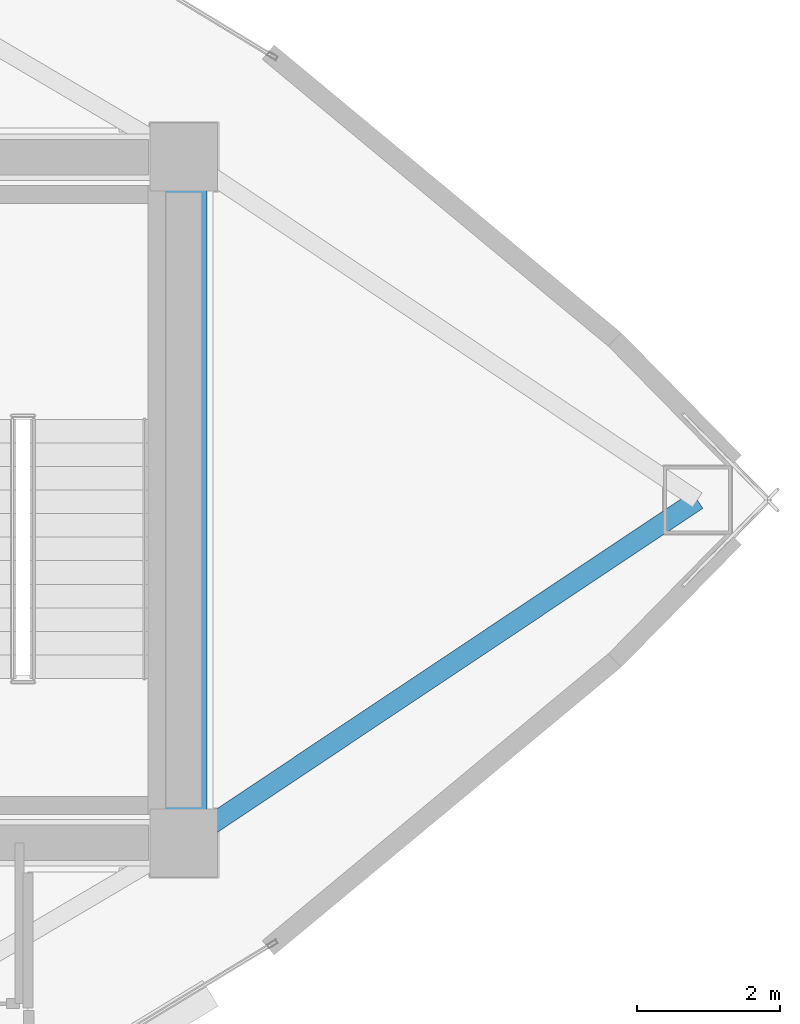
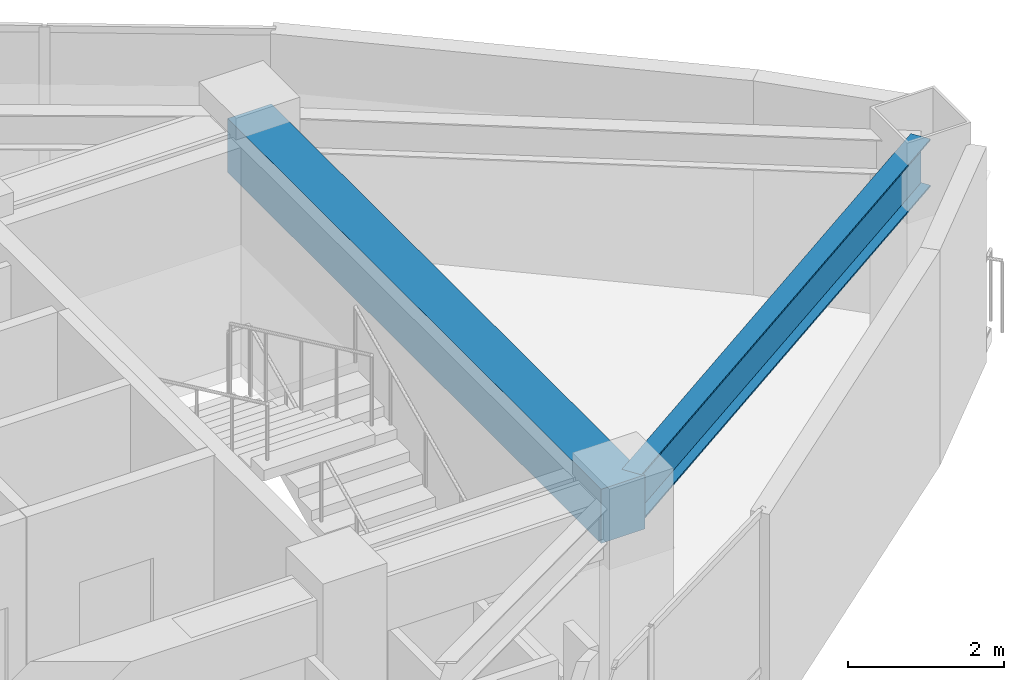
# One storey, part 6 of 16: 2 beams.
"""IFC4 building model written with IfcOpenShell, lengths in metres."""

from ifc_helpers import new_model, si_unit, direction, frame, origin, origin_2d, place, context, subcontext, project, spatial, rectangle, i_section, extrude, material, material_profile, profile_set, type_object, element, save


model = new_model("IFC4")

# Units and contexts
model_context = context("Model", 3, precision=1e-05, world=origin(), true_north=direction((0.0, 1.0)))
body_context = subcontext(model_context, "Body", "Model", "MODEL_VIEW")
ifc_project = project(units=[si_unit("LENGTHUNIT", "METRE"), si_unit("AREAUNIT", "SQUARE_METRE"), si_unit("VOLUMEUNIT", "CUBIC_METRE"), si_unit("PLANEANGLEUNIT", "RADIAN"), si_unit("MASSUNIT", "GRAM", prefix="KILO")], contexts=[model_context])

# Site, building, storey
site_placement = place(None, origin())
site = spatial("IfcSite", under=ifc_project, at=site_placement, CompositionType="ELEMENT")
building_placement = place(site_placement, origin())
building = spatial("IfcBuilding", under=site, at=building_placement, Name="Menara Vayukalpa", CompositionType="ELEMENT")
storey_placement = place(building_placement, frame((0.0, 0.0, 210.1201171875)))
storey = spatial("IfcBuildingStorey", under=building, at=storey_placement, Name="L53", CompositionType="ELEMENT", Elevation=210.1201171875)

# Beams
ifc_material_1 = material(Name="Concrete C60/75", Category="concrete")
ifc_material_profile_1 = material_profile(ifc_material_1, rectangle(XDim=0.64990234375, YDim=0.85009765625, at=origin_2d()), Name="RC 650x850")
ifc_profile_set_1 = profile_set([ifc_material_profile_1], Name="Concrete C60/75")
beam_type_1 = type_object("IfcBeamType", Name="BM-CB1", PredefinedType="BEAM", material=ifc_profile_set_1)
beam_1_placement = place(storey_placement, frame((33.39990234375, 17.199951171875, 2.954833984375), z_axis=(0.0, 1.0, 0.0), x_axis=(-1.0, 0.0, 0.0)))
element("IfcBeam", 1, at=beam_1_placement, inside=storey, type_object=beam_type_1, Name="L53 Core Tie Beam CBR8", PredefinedType="BEAM", context=body_context, shape_type="SweptSolid", body=[
    extrude(rectangle(XDim=0.64990234375, YDim=0.85009765625, at=origin_2d()), origin(), (0.0, 0.0, 1.0), 9.60009765625),
])
ifc_material_2 = material(Name="Steel S355", Category="steel")
ifc_material_profile_2 = material_profile(ifc_material_2, i_section(OverallWidth=0.280029296875, OverallDepth=0.75, WebThickness=0.013916015625, FlangeThickness=0.02490234375, at=origin_2d()), Name="WF 750x280x14x25")
ifc_profile_set_2 = profile_set([ifc_material_profile_2], Name="Steel S355")
beam_type_2 = type_object("IfcBeamType", Name="BM-PG4", PredefinedType="BEAM", material=ifc_profile_set_2)
beam_2_placement = place(storey_placement, frame((33.60791015625, 17.3388671875, 3.0048828125), z_axis=(0.831719080732, 0.555196695547, 0.0), x_axis=(-0.555196695547, 0.831719080732, 0.0)))
element("IfcBeam", 2, at=beam_2_placement, inside=storey, type_object=beam_type_2, Name="L53 Primary Radial Girder RG01", PredefinedType="BEAM", context=body_context, shape_type="SweptSolid", body=[
    extrude(i_section(OverallWidth=0.280029296875, OverallDepth=0.75, WebThickness=0.013916015625, FlangeThickness=0.02490234375, at=origin_2d()), origin(), (0.0, 0.0, 1.0), 8.3955078125),
])

save(model, "model.ifc")
